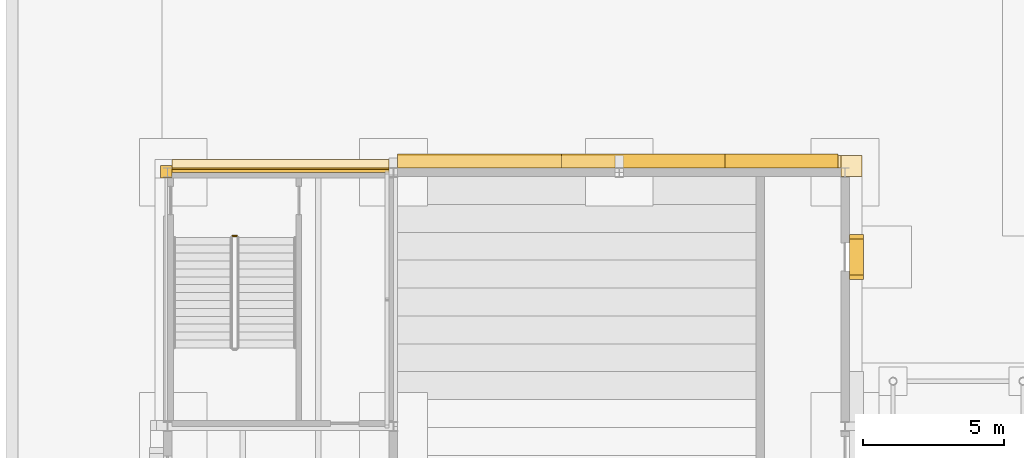
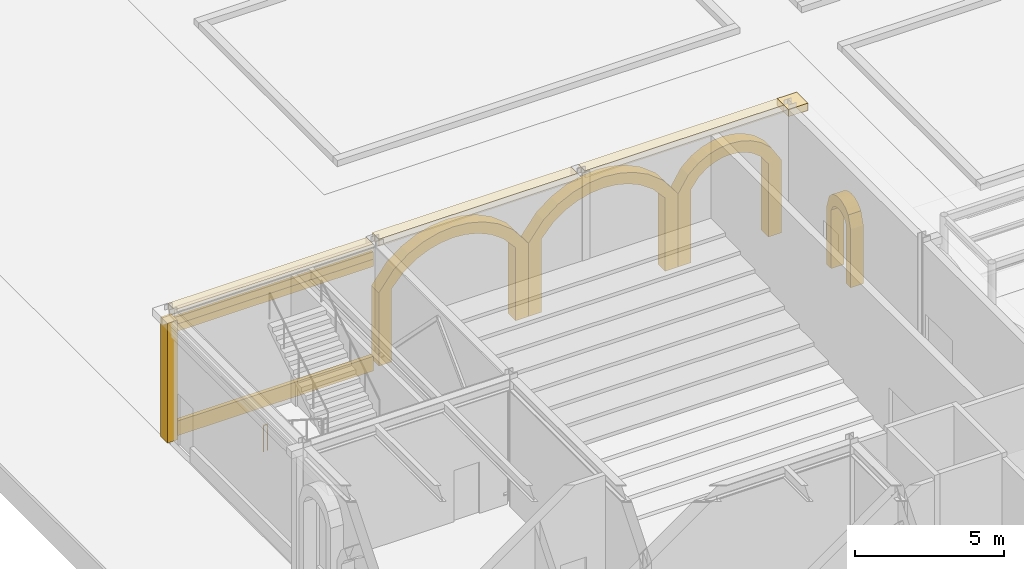
# One storey, part 99 of 126: 12 coverings, 1 railing.
"""IFC4 building model written with IfcOpenShell, lengths in metres."""

from ifc_helpers import new_model, si_unit, direction, frame, origin, origin_2d, place, context, subcontext, project, spatial, polyline, rectangle, circle, outline, extrude, material, layer, layer_set, type_object, element, save


model = new_model("IFC4")

# Units and contexts
model_context = context("Model", 3, precision=1e-05, world=origin(), true_north=direction((0.0, 1.0)))
body_context = subcontext(model_context, "Body", "Model", "MODEL_VIEW")
ifc_project = project(units=[si_unit("LENGTHUNIT", "METRE"), si_unit("AREAUNIT", "SQUARE_METRE"), si_unit("VOLUMEUNIT", "CUBIC_METRE"), si_unit("PLANEANGLEUNIT", "RADIAN"), si_unit("MASSUNIT", "GRAM", prefix="KILO")], contexts=[model_context])

# Site, building, storey
site_placement = place(None, origin())
site = spatial("IfcSite", under=ifc_project, at=site_placement, CompositionType="ELEMENT")
building_placement = place(site_placement, origin())
building = spatial("IfcBuilding", under=site, at=building_placement, Name="Kallimachos Central Library", CompositionType="ELEMENT")
storey_placement = place(building_placement, origin())
storey = spatial("IfcBuildingStorey", under=building, at=storey_placement, Name="L00", CompositionType="ELEMENT", Elevation=0.0)

# Coverings
ifc_material_1 = material(Name="Glazed ceramic frieze, green")
ifc_layer_1 = layer(ifc_material_1, 0.10009765625)
ifc_layer_set_1 = layer_set([ifc_layer_1], Name="Glazed ceramic frieze, green")
covering_type_1 = type_object("IfcCoveringType", Name="Glazed ceramic frieze, green", PredefinedType="CLADDING", material=ifc_layer_set_1)
covering_1_placement = place(storey_placement, frame((10.0, 36.050048828125, 4.580078125), z_axis=(0.0, 0.0, 1.0), x_axis=(1.0, 0.0, 0.0)))
element("IfcCovering", 1, at=covering_1_placement, inside=storey, type_object=covering_type_1, Name="Glazed ceramic frieze, green -L00-028", PredefinedType="CLADDING", context=body_context, shape_type="SweptSolid", body=[
    extrude(rectangle(XDim=7.699951171875, YDim=0.10009765625, at=origin_2d()), origin(), (0.0, 0.0, 1.0), 0.300048828125),
])
ifc_material_2 = material(Name="Glazed ceramic frieze, ochre")
ifc_layer_2 = layer(ifc_material_2, 0.10009765625)
ifc_layer_set_2 = layer_set([ifc_layer_2], Name="Glazed ceramic frieze, ochre")
covering_type_2 = type_object("IfcCoveringType", Name="Glazed ceramic frieze, ochre", PredefinedType="CLADDING", material=ifc_layer_set_2)
covering_2_placement = place(storey_placement, frame((10.0, 36.050048828125, 4.27978515625), z_axis=(0.0, 0.0, 1.0), x_axis=(1.0, 0.0, 0.0)))
element("IfcCovering", 2, at=covering_2_placement, inside=storey, type_object=covering_type_2, Name="Glazed ceramic frieze, ochre -L00-028", PredefinedType="CLADDING", context=body_context, shape_type="SweptSolid", body=[
    extrude(rectangle(XDim=7.699951171875, YDim=0.10009765625, at=origin_2d()), origin(), (0.0, 0.0, 1.0), 0.300048828125),
])

# Railing
ifc_material_3 = material(Name="Wrought iron")
railing_type = type_object("IfcRailingType", Name="Stair guard", PredefinedType="GUARDRAIL", material=ifc_material_3)
railing_placement = place(storey_placement, frame((8.300048828125, 33.75, 0.0)))
element("IfcRailing", 3, at=railing_placement, inside=storey, type_object=railing_type, Name="L00 ST18 stair guard 4", PredefinedType="GUARDRAIL", context=body_context, shape_type="SweptSolid", body=[
    extrude(circle(Radius=0.02392578125, at=origin_2d()), frame((0.0, 0.0, 1.076171875), z_axis=(1.0, 0.0, 0.0), x_axis=(0.0, 1.0, 0.0)), (0.0, 0.0, 1.0), 0.14990234375),
    extrude(circle(Radius=0.02099609375, at=origin_2d()), origin(), (0.0, 0.0, 1.0), 1.052001953125),
    extrude(circle(Radius=0.02099609375, at=origin_2d()), frame((0.14990234375, 0.0, 0.0)), (0.0, 0.0, 1.0), 1.052001953125),
])

# Coverings
ifc_material_4 = material(Name="Pentelic marble cornice", Category="masonry")
ifc_layer_3 = layer(ifc_material_4, 0.449951171875)
ifc_layer_set_3 = layer_set([ifc_layer_3], Name="Stone cornice 450")
covering_type_3 = type_object("IfcCoveringType", Name="Stone cornice 450", PredefinedType="MOLDING", material=ifc_layer_set_3)
for number, where, z_axis, x_axis, name in (
    (4, (18.0, 36.375, 4.89990234375), (0.0, 0.0, 1.0), (1.0, 0.0, 0.0), "Stone cornice 450 -L00-012"),
    (5, (26.0, 36.375, 4.89990234375), (0.0, 0.0, 1.0), (1.0, 0.0, 0.0), "Stone cornice 450 -L00-013"),
    (6, (10.0, 36.22509765625, 4.89990234375), (0.0, 0.0, 1.0), (1.0, 0.0, 0.0), "Stone cornice 450 -L00-028"),
):
    element("IfcCovering", number, at=place(storey_placement, frame(where, z_axis=z_axis, x_axis=x_axis)), inside=storey, type_object=covering_type_3, Name=name, PredefinedType="MOLDING", context=body_context, shape_type="SweptSolid", body=[
        extrude(rectangle(XDim=7.699951171875, YDim=0.449951171875, at=origin_2d()), origin(), (0.0, 0.0, 1.0), 0.300048828125),
    ])
covering_3_placement = place(storey_placement, frame((30.22509765625, 36.22509765625, 4.89990234375), z_axis=(0.0, 0.0, 1.0), x_axis=(1.0, 0.0, 0.0)))
element("IfcCovering", 7, at=covering_3_placement, inside=storey, type_object=covering_type_3, Name="Stone cornice 450 corner", PredefinedType="MOLDING", context=body_context, shape_type="SweptSolid", body=[
    extrude(rectangle(XDim=0.75, YDim=0.75, at=origin_2d()), origin(), (0.0, 0.0, 1.0), 0.300048828125),
])
ifc_material_5 = material(Name="Pentelic marble portal arch", Category="masonry")
ifc_layer_4 = layer(ifc_material_5, 0.5)
ifc_layer_set_4 = layer_set([ifc_layer_4], Name="Stone door portal 500")
covering_type_4 = type_object("IfcCoveringType", Name="Stone door portal 500", PredefinedType="MOLDING", material=ifc_layer_set_4)
covering_4_placement = place(storey_placement, frame((30.64990234375, 32.5, 0.0), z_axis=(1.0, 0.0, 0.0), x_axis=(0.0, 0.0, 1.0)))
element("IfcCovering", 8, at=covering_4_placement, inside=storey, type_object=covering_type_4, Name="Door portal -DOR-L00-005", PredefinedType="MOLDING", context=body_context, shape_type="SweptSolid", body=[
    extrude(outline(polyline([(0.0, 0.0), (2.39990234375, 0.0), (2.576171875, -0.10009765625), (2.666259765625, -0.199951171875), (2.720703125, -0.300048828125), (2.75048828125, -0.39990234375), (2.760009765625, -0.5), (2.75048828125, -0.60009765625), (2.720703125, -0.699951171875), (2.666259765625, -0.800048828125), (2.576171875, -0.89990234375), (2.39990234375, -1.0), (0.0, -1.0), (0.0, -1.300048828125), (2.39990234375, -1.300048828125), (2.889892578125, -1.139892578125), (3.050048828125, -0.97998046875), (3.143310546875, -0.820068359375), (3.19384765625, -0.659912109375), (3.2099609375, -0.5), (3.19384765625, -0.340087890625), (3.143310546875, -0.179931640625), (3.050048828125, -0.02001953125), (2.889892578125, 0.139892578125), (2.39990234375, 0.300048828125), (0.0, 0.300048828125), (0.0, 0.0)])), origin(), (0.0, 0.0, -1.0), 0.5),
])
ifc_material_6 = material(Name="Pentelic marble arch ring", Category="masonry")
ifc_layer_5 = layer(ifc_material_6, 0.5)
ifc_layer_set_5 = layer_set([ifc_layer_5], Name="Stone grand arch 500")
covering_type_5 = type_object("IfcCoveringType", Name="Stone grand arch 500", PredefinedType="MOLDING", material=ifc_layer_set_5)
covering_5_placement = place(storey_placement, frame((14.14990234375, 36.64990234375, 0.0), z_axis=(0.0, 1.0, 0.0), x_axis=(0.0, 0.0, 1.0)))
element("IfcCovering", 9, at=covering_5_placement, inside=storey, type_object=covering_type_5, Name="Grand arch 1", PredefinedType="MOLDING", context=body_context, shape_type="SweptSolid", body=[
    extrude(outline(polyline([(0.0, 0.0), (3.0, 0.0), (3.75634765625, 0.580078125), (4.2080078125, 1.16015625), (4.490966796875, 1.739990234375), (4.64892578125, 2.320068359375), (4.699951171875, 2.900146484375), (4.64892578125, 3.47998046875), (4.490966796875, 4.06005859375), (4.2080078125, 4.64013671875), (3.75634765625, 5.22021484375), (3.0, 5.800048828125), (0.0, 5.800048828125), (0.0, 5.300048828125), (3.0, 5.300048828125), (3.532958984375, 4.820068359375), (3.87158203125, 4.340087890625), (4.088134765625, 3.860107421875), (4.21044921875, 3.380126953125), (4.25, 2.900146484375), (4.21044921875, 2.420166015625), (4.088134765625, 1.940185546875), (3.87158203125, 1.460205078125), (3.532958984375, 0.97998046875), (3.0, 0.5), (0.0, 0.5), (0.0, 0.0)])), origin(), (0.0, 0.0, -1.0), 0.5),
])
covering_6_placement = place(storey_placement, frame((19.949951171875, 36.64990234375, 0.0), z_axis=(0.0, 1.0, 0.0), x_axis=(0.0, 0.0, 1.0)))
element("IfcCovering", 10, at=covering_6_placement, inside=storey, type_object=covering_type_5, Name="Grand arch 2", PredefinedType="MOLDING", context=body_context, shape_type="SweptSolid", body=[
    extrude(outline(polyline([(0.0, 0.0), (3.0, 0.0), (3.75634765625, 0.580078125), (4.2080078125, 1.16015625), (4.490966796875, 1.739990234375), (4.64892578125, 2.320068359375), (4.699951171875, 2.900146484375), (4.64892578125, 3.47998046875), (4.490966796875, 4.06005859375), (4.2080078125, 4.64013671875), (3.75634765625, 5.219970703125), (3.0, 5.800048828125), (0.0, 5.800048828125), (0.0, 5.300048828125), (3.0, 5.300048828125), (3.532958984375, 4.820068359375), (3.87158203125, 4.340087890625), (4.088134765625, 3.860107421875), (4.21044921875, 3.380126953125), (4.25, 2.900146484375), (4.21044921875, 2.420166015625), (4.088134765625, 1.93994140625), (3.87158203125, 1.4599609375), (3.532958984375, 0.97998046875), (3.0, 0.5), (0.0, 0.5), (0.0, 0.0)])), origin(), (0.0, 0.0, -1.0), 0.5),
])
covering_7_placement = place(storey_placement, frame((25.75, 36.64990234375, 0.0), z_axis=(0.0, 1.0, 0.0), x_axis=(0.0, 0.0, 1.0)))
element("IfcCovering", 11, at=covering_7_placement, inside=storey, type_object=covering_type_5, Name="Grand arch 3", PredefinedType="MOLDING", context=body_context, shape_type="SweptSolid", body=[
    extrude(outline(polyline([(0.0, 0.0), (3.0, 0.0), (3.639404296875, 0.39990234375), (3.9853515625, 0.800048828125), (4.196044921875, 1.199951171875), (4.3125, 1.60009765625), (4.35009765625, 2.0), (4.3125, 2.39990234375), (4.196044921875, 2.800048828125), (3.9853515625, 3.199951171875), (3.639404296875, 3.60009765625), (3.0, 4.0), (0.0, 4.0), (0.0, 3.5), (3.0, 3.5), (3.404296875, 3.199951171875), (3.64208984375, 2.89990234375), (3.79052734375, 2.60009765625), (3.873291015625, 2.300048828125), (3.89990234375, 2.0), (3.873291015625, 1.699951171875), (3.79052734375, 1.39990234375), (3.64208984375, 1.10009765625), (3.404296875, 0.800048828125), (3.0, 0.5), (0.0, 0.5), (0.0, 0.0)])), origin(), (0.0, 0.0, -1.0), 0.5),
])
ifc_material_7 = material(Name="Pentelic marble pilaster", Category="masonry")
ifc_layer_6 = layer(ifc_material_7, 0.25)
ifc_layer_set_6 = layer_set([ifc_layer_6], Name="Stone pilaster 250")
covering_type_6 = type_object("IfcCoveringType", Name="Stone pilaster 250", PredefinedType="CLADDING", material=ifc_layer_set_6)
covering_8_placement = place(storey_placement, frame((5.949951171875, 36.02490234375, 0.0), z_axis=(0.0, 0.0, 1.0), x_axis=(1.0, 0.0, 0.0)))
element("IfcCovering", 12, at=covering_8_placement, inside=storey, type_object=covering_type_6, Name="Stone pilaster 250 corner", PredefinedType="CLADDING", context=body_context, shape_type="SweptSolid", body=[
    extrude(rectangle(XDim=0.39990234375, YDim=0.449951171875, at=origin_2d()), origin(), (0.0, 0.0, 1.0), 4.89990234375),
])
ifc_material_8 = material(Name="Pentelic marble plinth course", Category="masonry")
ifc_layer_7 = layer(ifc_material_8, 0.14990234375)
ifc_layer_set_7 = layer_set([ifc_layer_7], Name="Stone plinth course 600")
covering_type_7 = type_object("IfcCoveringType", Name="Stone plinth course 600", PredefinedType="CLADDING", material=ifc_layer_set_7)
covering_9_placement = place(storey_placement, frame((10.0, 36.074951171875, 0.0), z_axis=(0.0, 0.0, 1.0), x_axis=(1.0, 0.0, 0.0)))
element("IfcCovering", 13, at=covering_9_placement, inside=storey, type_object=covering_type_7, Name="Stone plinth course 600 -L00-028", PredefinedType="CLADDING", context=body_context, shape_type="SweptSolid", body=[
    extrude(rectangle(XDim=7.699951171875, YDim=0.14990234375, at=origin_2d()), origin(), (0.0, 0.0, 1.0), 0.60009765625),
])

save(model, "model.ifc")
